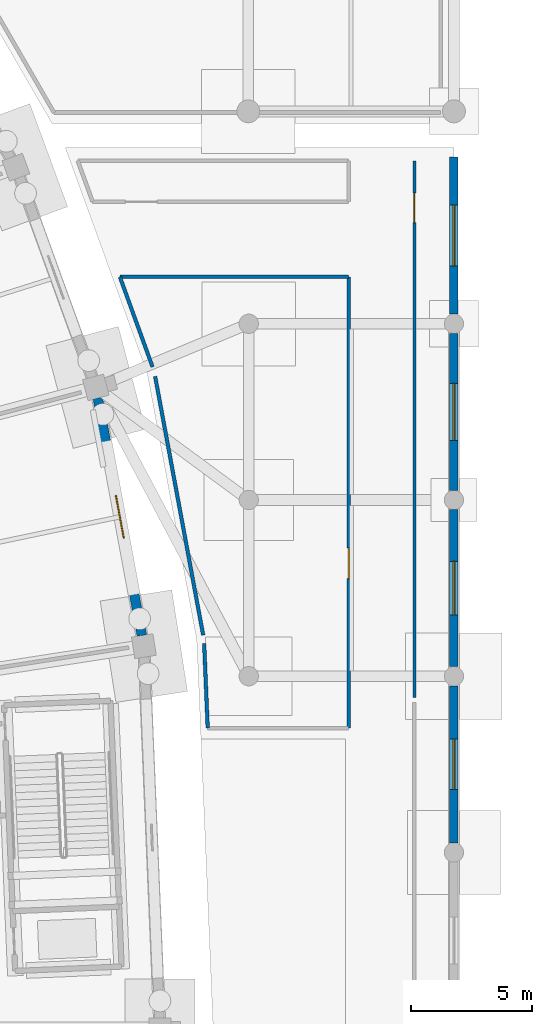
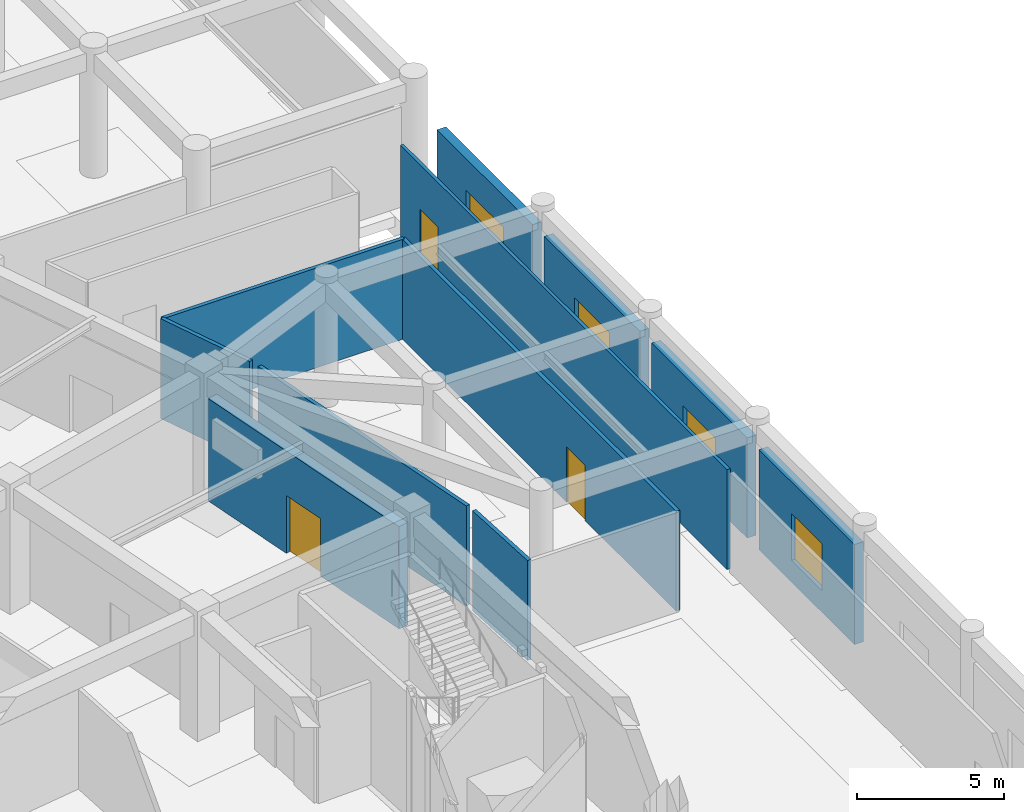
# One storey, part 55 of 88: 11 walls, 4 windows, 3 doors, 7 openings.
"""IFC4 building model written with IfcOpenShell, lengths in metres."""

from ifc_helpers import new_model, si_unit, direction, frame, frame_2d, origin, place, context, subcontext, project, spatial, rectangle, extrude, material, layer, layer_set, type_object, element, fill, save


model = new_model("IFC4")

# Units and contexts
model_context = context("Model", 3, precision=1e-05, world=origin(), true_north=direction((0.0, 1.0)))
body_context = subcontext(model_context, "Body", "Model", "MODEL_VIEW")
ifc_project = project(units=[si_unit("LENGTHUNIT", "METRE"), si_unit("AREAUNIT", "SQUARE_METRE"), si_unit("VOLUMEUNIT", "CUBIC_METRE"), si_unit("PLANEANGLEUNIT", "RADIAN"), si_unit("MASSUNIT", "GRAM", prefix="KILO")], contexts=[model_context])

# Site, building, storey
site_placement = place(None, origin())
site = spatial("IfcSite", under=ifc_project, at=site_placement, CompositionType="ELEMENT")
building_placement = place(site_placement, origin())
building = spatial("IfcBuilding", under=site, at=building_placement, Name="Mphavela Belvedere Stadium", CompositionType="ELEMENT")
storey_placement = place(building_placement, origin())
storey = spatial("IfcBuildingStorey", under=building, at=storey_placement, Name="L00", CompositionType="ELEMENT", Elevation=0.0)

# Wall, opening, window
ifc_material_1 = material(Name="Honed ashlar limestone masonry", Category="masonry")
ifc_layer_1 = layer(ifc_material_1, 0.35009765625)
ifc_layer_set_1 = layer_set([ifc_layer_1], Name="Honed ashlar limestone masonry")
wall_type_1 = type_object("IfcWallType", Name="WAL-EXT-ASHLAR-350", PredefinedType="STANDARD", material=ifc_layer_set_1)
wall_1_placement = place(storey_placement, frame((230.0, 101.201904296875, 0.0), z_axis=(0.0, 0.0, 1.0), x_axis=(0.0, -1.0, 0.0)))
wall_1 = element("IfcWall", 1, at=wall_1_placement, inside=storey, type_object=wall_type_1, Name="East Planted Eaves Peristyle Colonnade outer facade bay L00-07", PredefinedType="STANDARD", context=body_context, shape_type="SweptSolid", body=[
    extrude(rectangle(XDim=6.50390625, YDim=0.35009765625, at=frame_2d((3.251953125, 0.0))), origin(), (0.0, 0.0, 1.0), 4.159912109375),
])
opening_1_placement = place(wall_1_placement, frame((2.2119140625, 0.0, 0.89990234375)))
opening_1 = element("IfcOpeningElement", 2, at=opening_1_placement, cuts=wall_1, Name="Opening W-294", PredefinedType="OPENING", context=body_context, shape_type="SweptSolid", body=[
    extrude(rectangle(XDim=2.080078125, YDim=1.949951171875, at=frame_2d((1.0400390625, 0.97509765625))), frame((0.0, 0.18505859375, 0.0), z_axis=(0.0, -1.0, 0.0), x_axis=(1.0, 0.0, 0.0)), (0.0, 0.0, 1.0), 0.3701171875),
])
ifc_material_2 = material(Name="Bronze-anodised thermally broken aluminium window", Category="aluminium")
window_type_1 = type_object("IfcWindowType", Name="WIN-EXT-30", PartitioningType="SINGLE_PANEL", PredefinedType="WINDOW", material=ifc_material_2)
window_1_placement = place(opening_1_placement, origin())
window_1 = element("IfcWindow", 3, at=window_1_placement, inside=storey, type_object=window_type_1, Name="East Planted Eaves Peristyle Colonnade classical window W-294", OverallHeight=1.949951171875, OverallWidth=2.080078125, PartitioningType="SINGLE_PANEL", PredefinedType="WINDOW", context=body_context, shape_type="SweptSolid", body=[
    extrude(rectangle(XDim=2.080078125, YDim=1.949951171875, at=frame_2d((1.0400390625, 0.97509765625))), frame((0.0, 0.030029296875, 0.0), z_axis=(0.0, -1.0, 0.0), x_axis=(1.0, 0.0, 0.0)), (0.0, 0.0, 1.0), 0.06005859375),
])
fill(opening_1, window_1)

wall_2_placement = place(storey_placement, frame((230.0, 108.501953125, 0.0), z_axis=(0.0, 0.0, 1.0), x_axis=(0.0, -1.0, 0.0)))
wall_2 = element("IfcWall", 4, at=wall_2_placement, inside=storey, type_object=wall_type_1, Name="East Planted Eaves Peristyle Colonnade outer facade bay L00-08", PredefinedType="STANDARD", context=body_context, shape_type="SweptSolid", body=[
    extrude(rectangle(XDim=6.50390625, YDim=0.35009765625, at=frame_2d((3.251953125, 0.0))), origin(), (0.0, 0.0, 1.0), 4.159912109375),
])
opening_2_placement = place(wall_2_placement, frame((2.14208984375, 0.0, 0.89990234375)))
opening_2 = element("IfcOpeningElement", 5, at=opening_2_placement, cuts=wall_2, Name="Opening W-295", PredefinedType="OPENING", context=body_context, shape_type="SweptSolid", body=[
    extrude(rectangle(XDim=2.219970703125, YDim=1.949951171875, at=frame_2d((1.10986328125, 0.97509765625))), frame((0.0, 0.18505859375, 0.0), z_axis=(0.0, -1.0, 0.0), x_axis=(1.0, 0.0, 0.0)), (0.0, 0.0, 1.0), 0.3701171875),
])
ifc_material_3 = material(Name="Bronze-anodised thermally broken aluminium window", Category="aluminium")
window_type_2 = type_object("IfcWindowType", Name="WIN-EXT-31", PartitioningType="SINGLE_PANEL", PredefinedType="WINDOW", material=ifc_material_3)
window_2_placement = place(opening_2_placement, origin())
window_2 = element("IfcWindow", 6, at=window_2_placement, inside=storey, type_object=window_type_2, Name="East Planted Eaves Peristyle Colonnade classical window W-295", OverallHeight=1.949951171875, OverallWidth=2.219970703125, PartitioningType="SINGLE_PANEL", PredefinedType="WINDOW", context=body_context, shape_type="SweptSolid", body=[
    extrude(rectangle(XDim=2.219970703125, YDim=1.949951171875, at=frame_2d((1.10986328125, 0.97509765625))), frame((0.0, 0.030029296875, 0.0), z_axis=(0.0, -1.0, 0.0), x_axis=(1.0, 0.0, 0.0)), (0.0, 0.0, 1.0), 0.06005859375),
])
fill(opening_2, window_2)

wall_3_placement = place(storey_placement, frame((230.0, 115.802001953125, 0.0), z_axis=(0.0, 0.0, 1.0), x_axis=(0.0, -1.0, 0.0)))
wall_3 = element("IfcWall", 7, at=wall_3_placement, inside=storey, type_object=wall_type_1, Name="East Planted Eaves Peristyle Colonnade outer facade bay L00-09", PredefinedType="STANDARD", context=body_context, shape_type="SweptSolid", body=[
    extrude(rectangle(XDim=6.50390625, YDim=0.35009765625, at=frame_2d((3.251953125, 0.0))), origin(), (0.0, 0.0, 1.0), 4.159912109375),
])
opening_3_placement = place(wall_3_placement, frame((2.072021484375, 0.0, 0.89990234375)))
opening_3 = element("IfcOpeningElement", 8, at=opening_3_placement, cuts=wall_3, Name="Opening W-296", PredefinedType="OPENING", context=body_context, shape_type="SweptSolid", body=[
    extrude(rectangle(XDim=2.360107421875, YDim=1.949951171875, at=frame_2d((1.18017578125, 0.97509765625))), frame((0.0, 0.18505859375, 0.0), z_axis=(0.0, -1.0, 0.0), x_axis=(1.0, 0.0, 0.0)), (0.0, 0.0, 1.0), 0.3701171875),
])
ifc_material_4 = material(Name="Bronze-anodised thermally broken aluminium window", Category="aluminium")
window_type_3 = type_object("IfcWindowType", Name="WIN-EXT-32", PartitioningType="SINGLE_PANEL", PredefinedType="WINDOW", material=ifc_material_4)
window_3_placement = place(opening_3_placement, origin())
window_3 = element("IfcWindow", 9, at=window_3_placement, inside=storey, type_object=window_type_3, Name="East Planted Eaves Peristyle Colonnade classical window W-296", OverallHeight=1.949951171875, OverallWidth=2.360107421875, PartitioningType="SINGLE_PANEL", PredefinedType="WINDOW", context=body_context, shape_type="SweptSolid", body=[
    extrude(rectangle(XDim=2.360107421875, YDim=1.949951171875, at=frame_2d((1.18017578125, 0.97509765625))), frame((0.0, 0.030029296875, 0.0), z_axis=(0.0, -1.0, 0.0), x_axis=(1.0, 0.0, 0.0)), (0.0, 0.0, 1.0), 0.06005859375),
])
fill(opening_3, window_3)

wall_4_placement = place(storey_placement, frame((230.0, 123.10205078125, 0.0), z_axis=(0.0, 0.0, 1.0), x_axis=(0.0, -1.0, 0.0)))
wall_4 = element("IfcWall", 10, at=wall_4_placement, inside=storey, type_object=wall_type_1, Name="East Planted Eaves Peristyle Colonnade outer facade bay L00-10", PredefinedType="STANDARD", context=body_context, shape_type="SweptSolid", body=[
    extrude(rectangle(XDim=6.504150390625, YDim=0.35009765625, at=frame_2d((3.251953125, 0.0))), origin(), (0.0, 0.0, 1.0), 4.159912109375),
])
opening_4_placement = place(wall_4_placement, frame((1.991943359375, 0.0, 0.89990234375)))
opening_4 = element("IfcOpeningElement", 11, at=opening_4_placement, cuts=wall_4, Name="Opening W-297", PredefinedType="OPENING", context=body_context, shape_type="SweptSolid", body=[
    extrude(rectangle(XDim=2.52001953125, YDim=1.949951171875, at=frame_2d((1.260009765625, 0.97509765625))), frame((0.0, 0.18505859375, 0.0), z_axis=(0.0, -1.0, 0.0), x_axis=(1.0, 0.0, 0.0)), (0.0, 0.0, 1.0), 0.3701171875),
])
ifc_material_5 = material(Name="Bronze-anodised thermally broken aluminium window", Category="aluminium")
window_type_4 = type_object("IfcWindowType", Name="WIN-EXT-33", PartitioningType="SINGLE_PANEL", PredefinedType="WINDOW", material=ifc_material_5)
window_4_placement = place(opening_4_placement, origin())
window_4 = element("IfcWindow", 12, at=window_4_placement, inside=storey, type_object=window_type_4, Name="East Planted Eaves Peristyle Colonnade classical window W-297", OverallHeight=1.949951171875, OverallWidth=2.52001953125, PartitioningType="SINGLE_PANEL", PredefinedType="WINDOW", context=body_context, shape_type="SweptSolid", body=[
    extrude(rectangle(XDim=2.52001953125, YDim=1.949951171875, at=frame_2d((1.260009765625, 0.97509765625))), frame((0.0, 0.030029296875, 0.0), z_axis=(0.0, -1.0, 0.0), x_axis=(1.0, 0.0, 0.0)), (0.0, 0.0, 1.0), 0.06005859375),
])
fill(opening_4, window_4)

# Wall, opening, door
ifc_material_6 = material(Name="Rusticated ashlar limestone masonry", Category="masonry")
ifc_layer_2 = layer(ifc_material_6, 0.39990234375)
ifc_layer_set_2 = layer_set([ifc_layer_2], Name="Rusticated ashlar limestone masonry")
wall_type_2 = type_object("IfcWallType", Name="WAL-EXT-ASHLAR-400", PredefinedType="STANDARD", material=ifc_layer_set_2)
wall_5_placement = place(storey_placement, frame((215.246337890625, 113.1220703125, 0.0), z_axis=(0.0, 0.0, 1.0), x_axis=(0.182624880635, -0.98318266511, 0.0)))
wall_5 = element("IfcWall", 13, at=wall_5_placement, inside=storey, type_object=wall_type_2, Name="Ground plinth rusticated ashlar wall 02", PredefinedType="STANDARD", context=body_context, shape_type="SweptSolid", body=[
    extrude(rectangle(XDim=10.0048828125, YDim=0.39990234375, at=frame_2d((5.00244140625, 0.0))), origin(), (0.0, 0.0, 1.0), 4.25),
])
opening_5_placement = place(wall_5_placement, frame((4.102294921875, 0.0, 0.0)))
opening_5 = element("IfcOpeningElement", 14, at=opening_5_placement, cuts=wall_5, Name="Opening ED-001", PredefinedType="OPENING", context=body_context, shape_type="SweptSolid", body=[
    extrude(rectangle(XDim=1.800048828125, YDim=2.39990234375, at=frame_2d((0.89990234375, 1.199951171875))), frame((0.0, 0.2099609375, 0.0), z_axis=(0.0, -1.0, 0.0), x_axis=(1.0, 0.0, 0.0)), (0.0, 0.0, 1.0), 0.419921875),
])
ifc_material_7 = material(Name="Glazed bronze-anodised steel exit doorset", Category="steel")
door_type_1 = type_object("IfcDoorType", Name="DR-EXT-01", OperationType="NOTDEFINED", PredefinedType="DOOR", material=ifc_material_7)
door_1_placement = place(opening_5_placement, origin())
door_1 = element("IfcDoor", 15, at=door_1_placement, inside=storey, type_object=door_type_1, Name="Spectator final exit doorset ED-001", OperationType="DOUBLE_DOOR_SINGLE_SWING", OverallHeight=2.39990234375, OverallWidth=1.800048828125, PredefinedType="DOOR", context=body_context, shape_type="SweptSolid", body=[
    extrude(rectangle(XDim=1.800048828125, YDim=2.39990234375, at=frame_2d((0.89990234375, 1.199951171875))), frame((0.0, 0.02490234375, 0.0), z_axis=(0.0, -1.0, 0.0), x_axis=(1.0, 0.0, 0.0)), (0.0, 0.0, 1.0), 0.050048828125),
])
fill(opening_5, door_1)

ifc_material_8 = material(Name="Moisture-resistant sanitary partition assembly")
ifc_layer_3 = layer(ifc_material_8, 0.125)
ifc_layer_set_3 = layer_set([ifc_layer_3], Name="Moisture-resistant sanitary partition assembly")
wall_type_3 = type_object("IfcWallType", Name="WAL-PART-125", PredefinedType="PARTITIONING", material=ifc_layer_set_3)
wall_6_placement = place(storey_placement, frame((228.360107421875, 100.719970703125, 0.0), z_axis=(0.0, 0.0, 1.0), x_axis=(0.0, 1.0, 0.0)))
wall_6 = element("IfcWall", 16, at=wall_6_placement, inside=storey, type_object=wall_type_3, Name="Room L00-210 corridor partition", PredefinedType="PARTITIONING", context=body_context, shape_type="SweptSolid", body=[
    extrude(rectangle(XDim=22.22998046875, YDim=0.125, at=frame_2d((11.114990234375, 0.0))), origin(), (0.0, 0.0, 1.0), 4.14990234375),
])
opening_6_placement = place(wall_6_placement, frame((19.67138671875, 0.0, 0.0)))
opening_6 = element("IfcOpeningElement", 17, at=opening_6_placement, cuts=wall_6, Name="Opening ID-537", PredefinedType="OPENING", context=body_context, shape_type="SweptSolid", body=[
    extrude(rectangle(XDim=1.219970703125, YDim=2.300048828125, at=frame_2d((0.60986328125, 1.14990234375))), frame((0.0, 0.072509765625, 0.0), z_axis=(0.0, -1.0, 0.0), x_axis=(1.0, 0.0, 0.0)), (0.0, 0.0, 1.0), 0.14501953125),
])
ifc_material_9 = material(Name="Hardwood acoustic timber doorset", Category="wood")
door_type_2 = type_object("IfcDoorType", Name="DR-INT-33", OperationType="NOTDEFINED", PredefinedType="DOOR", material=ifc_material_9)
door_2_placement = place(opening_6_placement, origin())
door_2 = element("IfcDoor", 18, at=door_2_placement, inside=storey, type_object=door_type_2, Name="Room L00-210 entrance door ID-537", OperationType="SINGLE_SWING_LEFT", OverallHeight=2.300048828125, OverallWidth=1.219970703125, PredefinedType="DOOR", context=body_context, shape_type="SweptSolid", body=[
    extrude(rectangle(XDim=1.219970703125, YDim=2.300048828125, at=frame_2d((0.60986328125, 1.14990234375))), frame((0.0, 0.02490234375, 0.0), z_axis=(0.0, -1.0, 0.0), x_axis=(1.0, 0.0, 0.0)), (0.0, 0.0, 1.0), 0.050048828125),
])
fill(opening_6, door_2)

ifc_material_10 = material(Name="Acoustic gypsum stud partition assembly")
ifc_layer_4 = layer(ifc_material_10, 0.14990234375)
ifc_layer_set_4 = layer_set([ifc_layer_4], Name="Acoustic gypsum stud partition assembly")
wall_type_4 = type_object("IfcWallType", Name="WAL-PART-150", PredefinedType="PARTITIONING", material=ifc_layer_set_4)
wall_7_placement = place(storey_placement, frame((225.639892578125, 118.139892578125, 0.0), z_axis=(0.0, 0.0, 1.0), x_axis=(0.0, -1.0, 0.0)))
wall_7 = element("IfcWall", 19, at=wall_7_placement, inside=storey, type_object=wall_type_4, Name="Room L00-211 corridor partition", PredefinedType="PARTITIONING", context=body_context, shape_type="SweptSolid", body=[
    extrude(rectangle(XDim=18.68994140625, YDim=0.14990234375, at=frame_2d((9.344970703125, 0.0))), origin(), (0.0, 0.0, 1.0), 4.14990234375),
])
opening_7_placement = place(wall_7_placement, frame((11.2333984375, 0.0, 0.0)))
opening_7 = element("IfcOpeningElement", 20, at=opening_7_placement, cuts=wall_7, Name="Opening ID-538", PredefinedType="OPENING", context=body_context, shape_type="SweptSolid", body=[
    extrude(rectangle(XDim=1.260009765625, YDim=2.300048828125, at=frame_2d((0.6298828125, 1.14990234375))), frame((0.0, 0.0849609375, 0.0), z_axis=(0.0, -1.0, 0.0), x_axis=(1.0, 0.0, 0.0)), (0.0, 0.0, 1.0), 0.169921875),
])
ifc_material_11 = material(Name="Hardwood acoustic timber doorset", Category="wood")
door_type_3 = type_object("IfcDoorType", Name="DR-INT-34", OperationType="NOTDEFINED", PredefinedType="DOOR", material=ifc_material_11)
door_3_placement = place(opening_7_placement, origin())
door_3 = element("IfcDoor", 21, at=door_3_placement, inside=storey, type_object=door_type_3, Name="Room L00-211 entrance door ID-538", OperationType="SINGLE_SWING_RIGHT", OverallHeight=2.300048828125, OverallWidth=1.260009765625, PredefinedType="DOOR", context=body_context, shape_type="SweptSolid", body=[
    extrude(rectangle(XDim=1.260009765625, YDim=2.300048828125, at=frame_2d((0.6298828125, 1.14990234375))), frame((0.0, 0.02490234375, 0.0), z_axis=(0.0, -1.0, 0.0), x_axis=(1.0, 0.0, 0.0)), (0.0, 0.0, 1.0), 0.050048828125),
])
fill(opening_7, door_3)

# Walls
wall_8_placement = place(storey_placement, frame((219.61328125, 103.301513671875, 0.0), z_axis=(0.0, 0.0, 1.0), x_axis=(-0.182620957058, 0.983183393901, 0.0)))
element("IfcWall", 22, at=wall_8_placement, inside=storey, type_object=wall_type_4, Name="Room divider partition L00-1226", PredefinedType="PARTITIONING", context=body_context, shape_type="SweptSolid", body=[
    extrude(rectangle(XDim=10.90087890625, YDim=0.14990234375, at=frame_2d((5.450439453125, 0.0))), origin(), (0.0, 0.0, 1.0), 4.14990234375),
])
wall_9_placement = place(storey_placement, frame((217.5146484375, 114.4150390625, 0.0), z_axis=(0.0, 0.0, 1.0), x_axis=(-0.341035525383, 0.94005040845, 0.0)))
element("IfcWall", 23, at=wall_9_placement, inside=storey, type_object=wall_type_4, Name="Room divider partition L00-1227", PredefinedType="PARTITIONING", context=body_context, shape_type="SweptSolid", body=[
    extrude(rectangle(XDim=3.96240234375, YDim=0.14990234375, at=frame_2d((1.981201171875, 0.0))), origin(), (0.0, 0.0, 1.0), 4.14990234375),
])
wall_10_placement = place(storey_placement, frame((216.163330078125, 118.139892578125, 0.0), z_axis=(0.0, 0.0, 1.0), x_axis=(1.0, 0.0, 0.0)))
element("IfcWall", 24, at=wall_10_placement, inside=storey, type_object=wall_type_4, Name="Room divider partition L00-1228", PredefinedType="PARTITIONING", context=body_context, shape_type="SweptSolid", body=[
    extrude(rectangle(XDim=9.4765625, YDim=0.14990234375, at=frame_2d((4.73828125, 0.0))), origin(), (0.0, 0.0, 1.0), 4.14990234375),
])
wall_11_placement = place(storey_placement, frame((219.800048828125, 99.449951171875, 0.0), z_axis=(0.0, 0.0, 1.0), x_axis=(-0.041888559174, 0.999122289117, 0.0)))
element("IfcWall", 25, at=wall_11_placement, inside=storey, type_object=wall_type_4, Name="Room divider partition L00-1230", PredefinedType="PARTITIONING", context=body_context, shape_type="SweptSolid", body=[
    extrude(rectangle(XDim=3.5029296875, YDim=0.14990234375, at=frame_2d((1.75146484375, 0.0))), origin(), (0.0, 0.0, 1.0), 4.14990234375),
])

save(model, "model.ifc")
